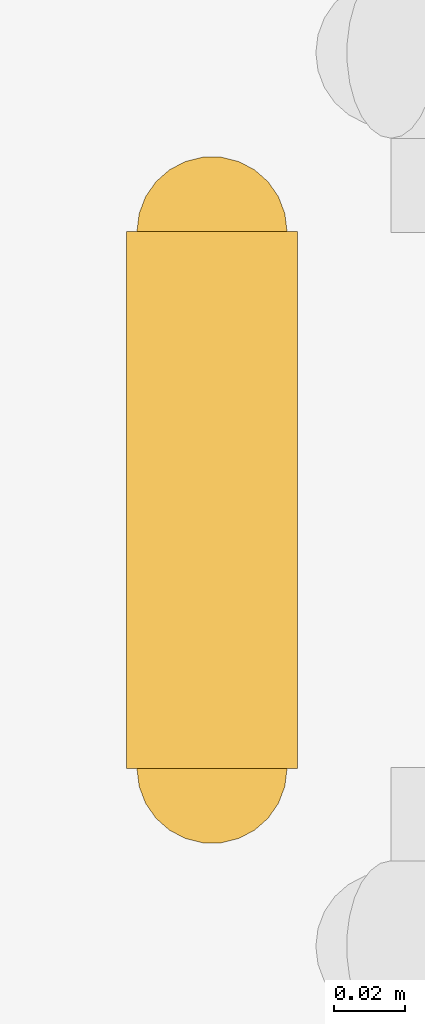
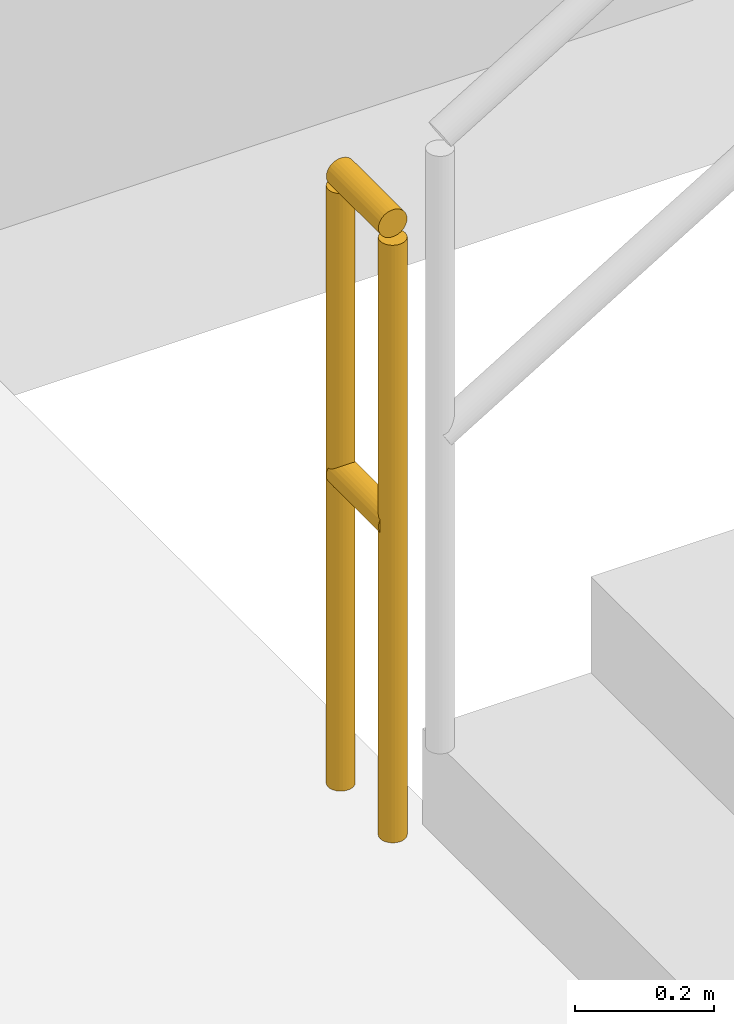
# One storey, part 14 of 16: 1 railing.
"""IFC4 building model written with IfcOpenShell, lengths in metres."""

import ifcopenshell
import ifcopenshell.guid

model = None  # the IFC model being written
_history = None  # IfcOwnerHistory: only IFC2X3 demands one
_inside = {}  # id of a spatial element -> (the spatial element, [elements in it])
_under = {}  # id of a project, library or spatial element -> (it, [spatial elements below it])
_declared = {}  # id of a project -> (the project, [libraries it declares])
_typed = {}  # id of a type object -> (the type object, [elements of that type])
_made_of = {}  # id of a material, layer set ... -> (it, [elements and type objects made of it])


def new_model(schema):
    """Start an empty IFC model of exactly this schema.

    Asked for "IFC4X3", IfcOpenShell would pick the latest addendum, in which some entities
    have other attributes; the version numbers below select the first issue.
    IFC2X3 requires an IfcOwnerHistory on every rooted entity: one is made here for all.
    """
    global model, _history
    if schema == "IFC4X3":
        model = ifcopenshell.file(schema_version=(4, 3, 0, 0))
    else:
        model = ifcopenshell.file(schema=schema)
    _inside.clear()
    _under.clear()
    _declared.clear()
    _typed.clear()
    _made_of.clear()
    _history = None
    if model.schema == "IFC2X3":
        org = make("IfcOrganization", Name="unknown")
        user = make(
            "IfcPersonAndOrganization",
            ThePerson=make("IfcPerson", FamilyName="unknown"),
            TheOrganization=org,
        )
        app = make(
            "IfcApplication",
            ApplicationDeveloper=org,
            Version="unknown",
            ApplicationFullName="unknown",
            ApplicationIdentifier="unknown",
        )
        _history = make(
            "IfcOwnerHistory",
            OwningUser=user,
            OwningApplication=app,
            ChangeAction="ADDED",
            CreationDate=0,
        )
    return model


def make(cls, **values):
    """One entity of the class cls with the attributes given. An attribute that is None is left unset."""
    return model.create_entity(
        cls, **{name: value for name, value in values.items() if value is not None}
    )


def rooted(cls, **values):
    """An entity with a GlobalId (a new one), such as an element, a storey or a relation."""
    return make(cls, GlobalId=ifcopenshell.guid.new(), OwnerHistory=_history, **values)


def si_unit(unit_type, name, prefix=None):
    """IfcSIUnit, for example si_unit("LENGTHUNIT", "METRE", prefix="MILLI")."""
    return make("IfcSIUnit", UnitType=unit_type, Prefix=prefix, Name=name)


def assignment(units):
    """IfcUnitAssignment: the units of a project."""
    return None if units is None else make("IfcUnitAssignment", Units=units)


def point(xyz):
    """IfcCartesianPoint."""
    return None if xyz is None else make("IfcCartesianPoint", Coordinates=xyz)


def direction(xyz):
    """IfcDirection."""
    return None if xyz is None else make("IfcDirection", DirectionRatios=xyz)


def frame(location, z_axis=None, x_axis=None):
    """IfcAxis2Placement3D, a coordinate frame: its origin and axes. An axis left out is left unset."""
    return make(
        "IfcAxis2Placement3D",
        Location=point(location),
        Axis=direction(z_axis),
        RefDirection=direction(x_axis),
    )


def frame_2d(location, x_axis=None):
    """IfcAxis2Placement2D, a coordinate frame in the plane: its origin and x axis."""
    return make(
        "IfcAxis2Placement2D", Location=point(location), RefDirection=direction(x_axis)
    )


def origin():
    """The frame at (0, 0, 0) with its axes left unset."""
    return frame((0.0, 0.0, 0.0))


def origin_2d():
    """The frame at (0, 0) in the plane with its x axis left unset."""
    return frame_2d((0.0, 0.0))


def place(relative_to, where):
    """IfcLocalPlacement: puts the frame where relative to a parent placement (None: the world)."""
    return make(
        "IfcLocalPlacement", PlacementRelTo=relative_to, RelativePlacement=where
    )


def context(
    kind, dimensions, precision=None, world=None, true_north=None, identifier=None
):
    """IfcGeometricRepresentationContext, for example the 3D "Model" context."""
    return make(
        "IfcGeometricRepresentationContext",
        ContextIdentifier=identifier,
        ContextType=kind,
        CoordinateSpaceDimension=dimensions,
        Precision=precision,
        WorldCoordinateSystem=world,
        TrueNorth=true_north,
    )


def subcontext(parent, identifier, kind, view, scale=None):
    """IfcGeometricRepresentationSubContext, for example "Body" below "Model"."""
    return make(
        "IfcGeometricRepresentationSubContext",
        ContextIdentifier=identifier,
        ContextType=kind,
        ParentContext=parent,
        TargetScale=scale,
        TargetView=view,
    )


def project(units=None, contexts=None):
    """IfcProject with its units and contexts."""
    return rooted(
        "IfcProject",
        Name="project",
        RepresentationContexts=contexts,
        UnitsInContext=assignment(units),
    )


def spatial(cls, under=None, at=None, **own):
    """A site, building, storey or space (cls), placed at a placement, below another one or the project."""
    s = rooted(cls, ObjectPlacement=at, **own)
    if under is not None:
        _under.setdefault(under.id(), (under, []))[1].append(s)
    return s


def profile(cls, at=None, kind="AREA", **sizes):
    """A parametric profile (cls). Its sizes go by their IFC names, for example OverallWidth=200.0."""
    return make(cls, ProfileType=kind, Position=at, **sizes)


def circle(**sizes):
    """IfcCircleProfileDef."""
    return profile("IfcCircleProfileDef", **sizes)


def extrude(swept, where, along, depth):
    """IfcExtrudedAreaSolid: the profile swept, set in the frame where, extruded along a direction by depth."""
    return make(
        "IfcExtrudedAreaSolid",
        SweptArea=swept,
        Position=where,
        ExtrudedDirection=direction(along),
        Depth=depth,
    )


def shape(context_of_items, identifier, shape_type, items):
    """IfcShapeRepresentation: the items that make up one representation, for example the "Body"."""
    return make(
        "IfcShapeRepresentation",
        ContextOfItems=context_of_items,
        RepresentationIdentifier=identifier,
        RepresentationType=shape_type,
        Items=items,
    )


def material(Name=None, Category=None):
    """IfcMaterial."""
    return make("IfcMaterial", Name=Name, Category=Category)


def made_of(thing, what):
    """Note that an element or type object is made of a material, layer set ...; save() writes the relation."""
    if what is not None:
        _made_of.setdefault(what.id(), (what, []))[1].append(thing)
    return thing


def type_object(cls, material=None, **own):
    """A type object (cls), such as IfcWallType, which elements share."""
    return made_of(rooted(cls, **own), material)


def element(
    cls,
    number,
    at=None,
    inside=None,
    cuts=None,
    type_object=None,
    material=None,
    context=None,
    identifier="Body",
    shape_type=None,
    held_by="IfcProductDefinitionShape",
    body=None,
    shapes=None,
    **own,
):
    """One element of the class cls, such as IfcWall. Its Tag is "e" and its number.

    at: its placement. inside: the storey or other place that contains it. cuts: it is an
    opening in that element (IfcRelVoidsElement). A single representation is given by context,
    identifier, shape_type and body (its items); several are given by shapes. held_by: the class
    of the entity that holds the representations. save() writes the other relations.
    """
    e = rooted(cls, Tag="e%d" % number, ObjectPlacement=at, **own)
    if body is not None:
        shapes = [shape(context, identifier, shape_type, body)]
    if shapes is not None:
        e.Representation = make(held_by, Representations=shapes)
    if inside is not None:
        _inside.setdefault(inside.id(), (inside, []))[1].append(e)
    if cuts is not None:
        rooted(
            "IfcRelVoidsElement", RelatingBuildingElement=cuts, RelatedOpeningElement=e
        )
    if type_object is not None:
        _typed.setdefault(type_object.id(), (type_object, []))[1].append(e)
    return made_of(e, material)


def aggregate(whole, parts):
    """IfcRelAggregates: a whole, such as a stair, and the parts it consists of."""
    return rooted("IfcRelAggregates", RelatingObject=whole, RelatedObjects=parts)


def save(model, path):
    """Write the relations noted so far, then the file.

    IfcRelAggregates (storeys below a building ...), IfcRelContainedInSpatialStructure (elements
    in a storey), IfcRelDefinesByType, IfcRelAssociatesMaterial and IfcRelDeclares: one each for
    every whole, place, type object, material and project.
    """
    for whole, parts in _under.values():
        aggregate(whole, parts)
    for where, things in _inside.values():
        rooted(
            "IfcRelContainedInSpatialStructure",
            RelatedElements=things,
            RelatingStructure=where,
        )
    for kind, things in _typed.values():
        rooted("IfcRelDefinesByType", RelatedObjects=things, RelatingType=kind)
    for what, things in _made_of.values():
        rooted("IfcRelAssociatesMaterial", RelatedObjects=things, RelatingMaterial=what)
    for by, libraries in _declared.values():
        rooted("IfcRelDeclares", RelatingContext=by, RelatedDefinitions=libraries)
    model.write(path)


model = new_model("IFC4")

# Units and contexts
model_context = context("Model", 3, precision=1e-05, world=origin(), true_north=direction((0.0, 1.0)))
body_context = subcontext(model_context, "Body", "Model", "MODEL_VIEW")
ifc_project = project(units=[si_unit("LENGTHUNIT", "METRE"), si_unit("AREAUNIT", "SQUARE_METRE"), si_unit("VOLUMEUNIT", "CUBIC_METRE"), si_unit("PLANEANGLEUNIT", "RADIAN"), si_unit("MASSUNIT", "GRAM", prefix="KILO")], contexts=[model_context])

# Site, building, storey
site_placement = place(None, origin())
site = spatial("IfcSite", under=ifc_project, at=site_placement, CompositionType="ELEMENT")
building_placement = place(site_placement, origin())
building = spatial("IfcBuilding", under=site, at=building_placement, Name="Veraguas Prism Commons", CompositionType="ELEMENT")
storey_placement = place(building_placement, frame((0.0, 0.0, 14.0)))
storey = spatial("IfcBuildingStorey", under=building, at=storey_placement, Name="L03", CompositionType="ELEMENT", Elevation=14.0)

# Railing
ifc_material = material(Name="Stainless steel AISI 316", Category="steel")
railing_type = type_object("IfcRailingType", Name="Stairwell Safety Guardrail 1100", PredefinedType="GUARDRAIL", material=ifc_material)
railing_placement = place(storey_placement, frame((64.199951171875, 6.64990234375, 0.0)))
element("IfcRailing", 1, at=railing_placement, inside=storey, type_object=railing_type, Name="Stair Guard ST-H1 L03-4", PredefinedType="GUARDRAIL", context=body_context, shape_type="SweptSolid", body=[
    extrude(circle(Radius=0.02392578125, at=origin_2d()), frame((0.0, 0.0, 1.076171875), z_axis=(0.0, 1.0, 0.0), x_axis=(-1.0, 0.0, 0.0)), (0.0, 0.0, 1.0), 0.150146484375),
    extrude(circle(Radius=0.02392578125, at=origin_2d()), frame((0.0, 0.0, 0.550048828125), z_axis=(0.0, 1.0, 0.0), x_axis=(-1.0, 0.0, 0.0)), (0.0, 0.0, 1.0), 0.150146484375),
    extrude(circle(Radius=0.02099609375, at=origin_2d()), origin(), (0.0, 0.0, 1.0), 1.052001953125),
    extrude(circle(Radius=0.02099609375, at=origin_2d()), frame((0.0, 0.150146484375, 0.0)), (0.0, 0.0, 1.0), 1.052001953125),
])

save(model, "model.ifc")
